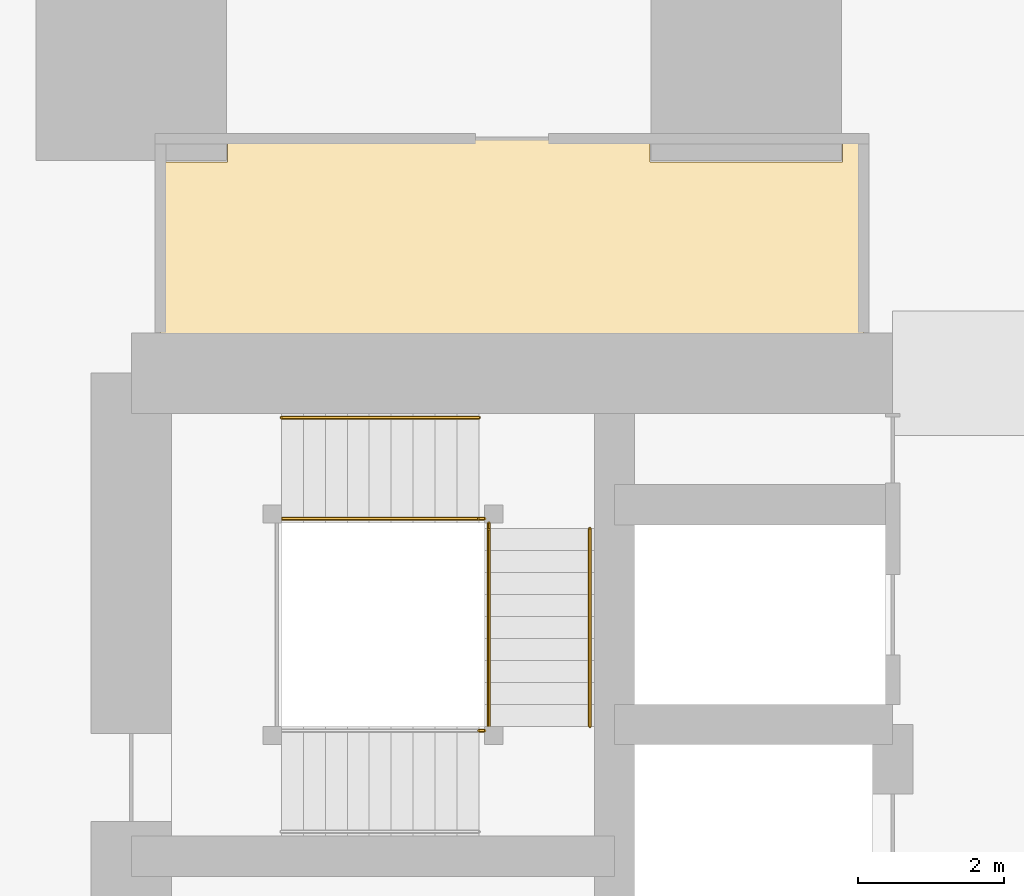
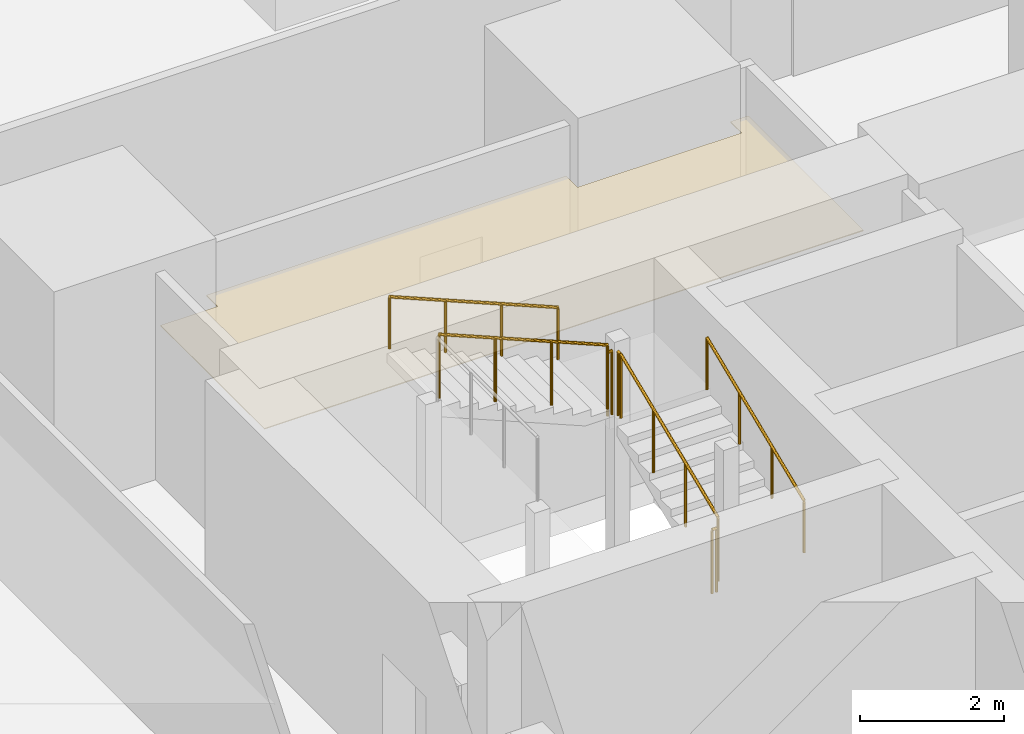
# One storey, part 32 of 35: 7 railings, 1 covering.
"""IFC4 building model written with IfcOpenShell, lengths in metres."""

from ifc_helpers import new_model, si_unit, direction, frame, origin, origin_2d, place, context, subcontext, project, spatial, polyline, circle, outline, extrude, material, layer, layer_set, type_object, element, save


model = new_model("IFC4")

# Units and contexts
model_context = context("Model", 3, precision=1e-05, world=origin(), true_north=direction((0.0, 1.0)))
body_context = subcontext(model_context, "Body", "Model", "MODEL_VIEW")
ifc_project = project(units=[si_unit("LENGTHUNIT", "METRE"), si_unit("AREAUNIT", "SQUARE_METRE"), si_unit("VOLUMEUNIT", "CUBIC_METRE"), si_unit("PLANEANGLEUNIT", "RADIAN"), si_unit("MASSUNIT", "GRAM", prefix="KILO")], contexts=[model_context])

# Site, building, storey
site_placement = place(None, origin())
site = spatial("IfcSite", under=ifc_project, at=site_placement, CompositionType="ELEMENT")
building_placement = place(site_placement, origin())
building = spatial("IfcBuilding", under=site, at=building_placement, Name="Rekha Terrace Tower", CompositionType="ELEMENT")
storey_placement = place(building_placement, frame((0.0, 0.0, 25.39990234375)))
storey = spatial("IfcBuildingStorey", under=building, at=storey_placement, Name="L05", CompositionType="ELEMENT", Elevation=25.39990234375)

# Covering
ifc_material_1 = material(Name="Fibre cement board", Category="finish")
ifc_layer = layer(ifc_material_1, 0.014892578125)
ifc_layer_set = layer_set([ifc_layer], Name="Fibre cement board")
covering_type = type_object("IfcCoveringType", Name="CL2 moisture-resistant board ceiling", PredefinedType="CEILING", material=ifc_layer_set)
covering_placement = place(storey_placement, frame((0.0, 0.0, 2.585205078125)))
element("IfcCovering", 1, at=covering_placement, inside=storey, type_object=covering_type, Name="Ceiling L05-WCF2", PredefinedType="CEILING", context=body_context, shape_type="SweptSolid", body=[
    extrude(outline(polyline([(26.514892578125, 49.0849609375), (25.60009765625, 49.0849609375), (25.60009765625, 46.199951171875), (35.199951171875, 46.199951171875), (35.199951171875, 49.39990234375), (34.9150390625, 49.39990234375), (34.9150390625, 49.0849609375), (32.284912109375, 49.0849609375), (32.284912109375, 49.39990234375), (26.514892578125, 49.39990234375), (26.514892578125, 49.0849609375)])), origin(), (0.0, 0.0, 1.0), 0.014892578125),
])

# Railings
ifc_material_2 = material(Name="Stainless steel balustrade", Category="steel")
railing_type_1 = type_object("IfcRailingType", Name="GR1 1100 stair guard", PredefinedType="GUARDRAIL", material=ifc_material_2)
railing_1_placement = place(storey_placement, frame((30.0849609375, 41.375, 1.375)))
element("IfcRailing", 2, at=railing_1_placement, inside=storey, type_object=railing_type_1, Name="Guard ST4 L05 flight 2", PredefinedType="GUARDRAIL", context=body_context, shape_type="SweptSolid", body=[
    extrude(circle(Radius=0.02392578125, at=origin_2d()), frame((0.0, 0.0, 1.076171875), z_axis=(0.0, 0.923074453586, 0.384621311341), x_axis=(-1.0, 0.0, 0.0)), (0.0, 0.0, 1.0), 2.925048828125),
    extrude(circle(Radius=0.02099609375, at=origin_2d()), origin(), (0.0, 0.0, 1.0), 1.052001953125),
    extrude(circle(Radius=0.02099609375, at=origin_2d()), frame((0.0, 0.89990234375, 0.375)), (0.0, 0.0, 1.0), 1.052001953125),
    extrude(circle(Radius=0.02099609375, at=origin_2d()), frame((0.0, 1.800048828125, 0.75)), (0.0, 0.0, 1.0), 1.052001953125),
    extrude(circle(Radius=0.02099609375, at=origin_2d()), frame((0.0, 2.699951171875, 1.125)), (0.0, 0.0, 1.0), 1.052001953125),
])
railing_2_placement = place(storey_placement, frame((29.949951171875, 44.2099609375, 2.625)))
element("IfcRailing", 3, at=railing_2_placement, inside=storey, type_object=railing_type_1, Name="Guard ST4 L05 flight 3", PredefinedType="GUARDRAIL", context=body_context, shape_type="SweptSolid", body=[
    extrude(circle(Radius=0.02392578125, at=origin_2d()), frame((0.0, 0.0, 1.076171875), z_axis=(-0.923074453586, 0.0, 0.384621311341), x_axis=(0.0, -1.0, 0.0)), (0.0, 0.0, 1.0), 2.925048828125),
    extrude(circle(Radius=0.02099609375, at=origin_2d()), origin(), (0.0, 0.0, 1.0), 1.052001953125),
    extrude(circle(Radius=0.02099609375, at=origin_2d()), frame((-0.89990234375, 0.0, 0.375)), (0.0, 0.0, 1.0), 1.052001953125),
    extrude(circle(Radius=0.02099609375, at=origin_2d()), frame((-1.800048828125, 0.0, 0.75)), (0.0, 0.0, 1.0), 1.052001953125),
    extrude(circle(Radius=0.02099609375, at=origin_2d()), frame((-2.699951171875, 0.0, 1.125)), (0.0, 0.0, 1.0), 1.052001953125),
])
railing_3_placement = place(storey_placement, frame((29.949951171875, 41.31494140625, 1.25)))
element("IfcRailing", 4, at=railing_3_placement, inside=storey, type_object=railing_type_1, Name="Guard ST4 L05 landing 1", PredefinedType="GUARDRAIL", context=body_context, shape_type="SweptSolid", body=[
    extrude(circle(Radius=0.02392578125, at=origin_2d()), frame((0.0, 0.0, 1.076171875), z_axis=(1.0, 0.0, 0.0), x_axis=(0.0, 1.0, 0.0)), (0.0, 0.0, 1.0), 0.074951171875),
    extrude(circle(Radius=0.02099609375, at=origin_2d()), origin(), (0.0, 0.0, 1.0), 1.052001953125),
    extrude(circle(Radius=0.02099609375, at=origin_2d()), frame((0.074951171875, 0.0, 0.0)), (0.0, 0.0, 1.0), 1.052001953125),
])
railing_4_placement = place(storey_placement, frame((30.0849609375, 44.074951171875, 2.5)))
element("IfcRailing", 5, at=railing_4_placement, inside=storey, type_object=railing_type_1, Name="Guard ST4 L05 landing 2", PredefinedType="GUARDRAIL", context=body_context, shape_type="SweptSolid", body=[
    extrude(circle(Radius=0.02392578125, at=origin_2d()), frame((0.0, 0.0, 1.076171875), z_axis=(0.0, 1.0, 0.0), x_axis=(-1.0, 0.0, 0.0)), (0.0, 0.0, 1.0), 0.074951171875),
    extrude(circle(Radius=0.02099609375, at=origin_2d()), origin(), (0.0, 0.0, 1.0), 1.052001953125),
    extrude(circle(Radius=0.02099609375, at=origin_2d()), frame((0.0, 0.074951171875, 0.0)), (0.0, 0.0, 1.0), 1.052001953125),
])
railing_5_placement = place(storey_placement, frame((29.949951171875, 44.2099609375, 2.5)))
element("IfcRailing", 6, at=railing_5_placement, inside=storey, type_object=railing_type_1, Name="Guard ST4 L05 landing 3", PredefinedType="GUARDRAIL", context=body_context, shape_type="SweptSolid", body=[
    extrude(circle(Radius=0.02392578125, at=origin_2d()), frame((0.0, 0.0, 1.076171875), z_axis=(1.0, 0.0, 0.0), x_axis=(0.0, 1.0, 0.0)), (0.0, 0.0, 1.0), 0.074951171875),
    extrude(circle(Radius=0.02099609375, at=origin_2d()), origin(), (0.0, 0.0, 1.0), 1.052001953125),
    extrude(circle(Radius=0.02099609375, at=origin_2d()), frame((0.074951171875, 0.0, 0.0)), (0.0, 0.0, 1.0), 1.052001953125),
])
ifc_material_3 = material(Name="Stainless steel tube", Category="steel")
railing_type_2 = type_object("IfcRailingType", Name="HR1 900 stair handrail", PredefinedType="HANDRAIL", material=ifc_material_3)
railing_6_placement = place(storey_placement, frame((31.465087890625, 41.375, 1.375)))
element("IfcRailing", 7, at=railing_6_placement, inside=storey, type_object=railing_type_2, Name="Handrail ST4 L05 flight 2", PredefinedType="HANDRAIL", context=body_context, shape_type="SweptSolid", body=[
    extrude(circle(Radius=0.02392578125, at=origin_2d()), frame((0.0, 0.0, 0.8759765625), z_axis=(0.0, 0.923074453586, 0.384621311341), x_axis=(-1.0, 0.0, 0.0)), (0.0, 0.0, 1.0), 2.925048828125),
    extrude(circle(Radius=0.02099609375, at=origin_2d()), origin(), (0.0, 0.0, 1.0), 0.851806640625),
    extrude(circle(Radius=0.02099609375, at=origin_2d()), frame((0.0, 0.89990234375, 0.375)), (0.0, 0.0, 1.0), 0.851806640625),
    extrude(circle(Radius=0.02099609375, at=origin_2d()), frame((0.0, 1.800048828125, 0.75)), (0.0, 0.0, 1.0), 0.851806640625),
    extrude(circle(Radius=0.02099609375, at=origin_2d()), frame((0.0, 2.699951171875, 1.125)), (0.0, 0.0, 1.0), 0.851806640625),
])
railing_7_placement = place(storey_placement, frame((29.949951171875, 45.590087890625, 2.625)))
element("IfcRailing", 8, at=railing_7_placement, inside=storey, type_object=railing_type_2, Name="Handrail ST4 L05 flight 3", PredefinedType="HANDRAIL", context=body_context, shape_type="SweptSolid", body=[
    extrude(circle(Radius=0.02392578125, at=origin_2d()), frame((0.0, 0.0, 0.8759765625), z_axis=(-0.923074453586, 0.0, 0.384621311341), x_axis=(0.0, -1.0, 0.0)), (0.0, 0.0, 1.0), 2.925048828125),
    extrude(circle(Radius=0.02099609375, at=origin_2d()), origin(), (0.0, 0.0, 1.0), 0.851806640625),
    extrude(circle(Radius=0.02099609375, at=origin_2d()), frame((-0.89990234375, 0.0, 0.375)), (0.0, 0.0, 1.0), 0.851806640625),
    extrude(circle(Radius=0.02099609375, at=origin_2d()), frame((-1.800048828125, 0.0, 0.75)), (0.0, 0.0, 1.0), 0.851806640625),
    extrude(circle(Radius=0.02099609375, at=origin_2d()), frame((-2.699951171875, 0.0, 1.125)), (0.0, 0.0, 1.0), 0.851806640625),
])

save(model, "model.ifc")
